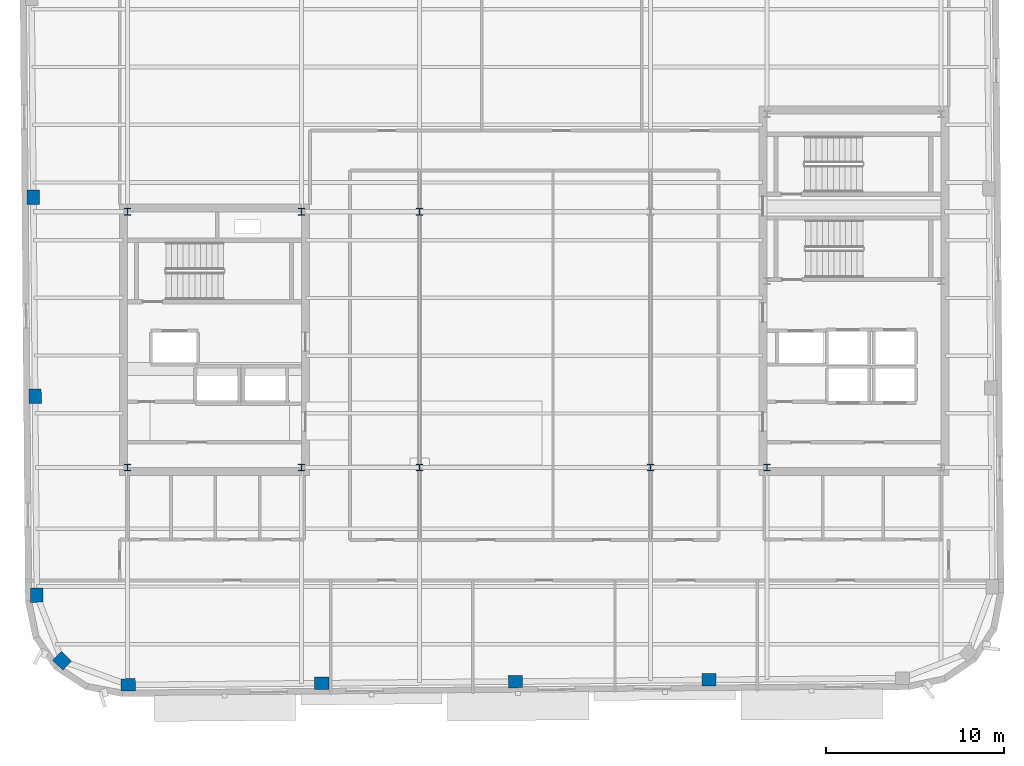
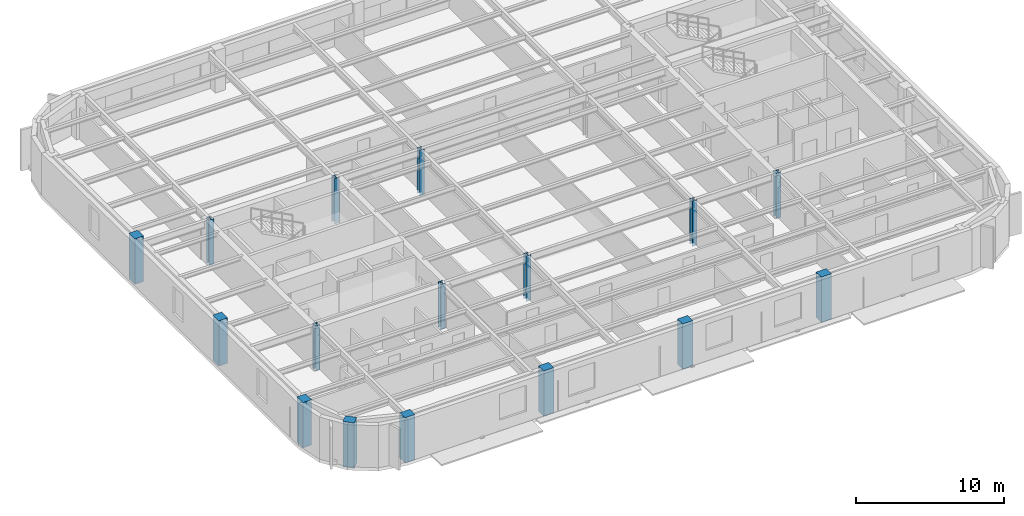
# One storey, part 1 of 15: 16 columns.
"""IFC4 building model written with IfcOpenShell, lengths in metres."""

from ifc_helpers import new_model, si_unit, direction, frame, origin, origin_2d, place, context, subcontext, project, spatial, rectangle, i_section, extrude, material, material_profile, profile_set, type_object, element, save


model = new_model("IFC4")

# Units and contexts
model_context = context("Model", 3, precision=1e-05, world=origin(), true_north=direction((0.0, 1.0)))
body_context = subcontext(model_context, "Body", "Model", "MODEL_VIEW")
ifc_project = project(units=[si_unit("LENGTHUNIT", "METRE"), si_unit("AREAUNIT", "SQUARE_METRE"), si_unit("VOLUMEUNIT", "CUBIC_METRE"), si_unit("PLANEANGLEUNIT", "RADIAN"), si_unit("MASSUNIT", "GRAM", prefix="KILO")], contexts=[model_context])

# Site, building, storey
site_placement = place(None, origin())
site = spatial("IfcSite", under=ifc_project, at=site_placement, CompositionType="ELEMENT")
building_placement = place(site_placement, origin())
building = spatial("IfcBuilding", under=site, at=building_placement, Name="Kolvaren Arena Tower", CompositionType="ELEMENT")
storey_placement = place(building_placement, frame((0.0, 0.0, 293.64990234375)))
storey = spatial("IfcBuildingStorey", under=building, at=storey_placement, Name="L72", CompositionType="ELEMENT", Elevation=293.64990234375)

# Columns
ifc_material_1 = material(Name="Precast concrete C50/60", Category="concrete")
ifc_material_profile_1 = material_profile(ifc_material_1, rectangle(XDim=0.800048828125, YDim=0.699951171875, at=origin_2d()), Name="RC-800x700")
ifc_profile_set_1 = profile_set([ifc_material_profile_1], Name="Precast concrete C50/60")
column_type_1 = type_object("IfcColumnType", Name="EXCOL-Z5", PredefinedType="COLUMN", material=ifc_profile_set_1)
for number, where, z_axis, x_axis, name in (
    (1, (14.591796875, 7.210693359375, -0.27001953125), (0.0, 0.0, 1.0), (0.999961923064, 0.008726535498, 0.0), "Exoskeleton Perimeter Column 01 (L72)"),
    (2, (25.491455078125, 7.3056640625, -0.27001953125), (0.0, 0.0, 1.0), (0.999961923064, 0.008726535498, 0.0), "Exoskeleton Perimeter Column 02 (L72)"),
    (3, (36.39111328125, 7.40087890625, -0.27001953125), (0.0, 0.0, 1.0), (0.999961923064, 0.008726535498, 0.0), "Exoskeleton Perimeter Column 03 (L72)"),
    (4, (47.290771484375, 7.49609375, -0.27001953125), (0.0, 0.0, 1.0), (0.999961923064, 0.008726535498, 0.0), "Exoskeleton Perimeter Column 04 (L72)"),
    (5, (9.252197265625, 34.6650390625, -0.27001953125), (0.0, 0.0, 1.0), (-0.008726535498, 0.999961923064, 0.0), "Exoskeleton Perimeter Column 19 (L72)"),
    (6, (9.349853515625, 23.465576171875, -0.27001953125), (0.0, 0.0, 1.0), (-0.008726535498, 0.999961923064, 0.0), "Exoskeleton Perimeter Column 20 (L72)"),
    (7, (9.447509765625, 12.265869140625, -0.27001953125), (0.0, 0.0, 1.0), (-0.008726535498, 0.999961923064, 0.0), "Exoskeleton Perimeter Column 21 (L72)"),
    (8, (10.87109375, 8.5693359375, -0.27001953125), (0.0, 0.0, 1.0), (-0.713250449154, 0.7009092643, 0.0), "Exoskeleton Perimeter Column 22 (L72)"),
):
    element("IfcColumn", number, at=place(storey_placement, frame(where, z_axis=z_axis, x_axis=x_axis)), inside=storey, type_object=column_type_1, Name=name, PredefinedType="COLUMN", context=body_context, shape_type="SweptSolid", body=[
        extrude(rectangle(XDim=0.800048828125, YDim=0.699951171875, at=origin_2d()), origin(), (0.0, 0.0, 1.0), 3.75),
    ])
ifc_material_2 = material(Name="Steel ASTM A913 Grade 65", Category="steel")
ifc_material_profile_2 = material_profile(ifc_material_2, i_section(OverallWidth=0.3740234375, OverallDepth=0.3720703125, WebThickness=0.016357421875, FlangeThickness=0.026123046875, FilletRadius=0.02001953125, at=origin_2d()), Name="W360x196")
ifc_profile_set_2 = profile_set([ifc_material_profile_2], Name="Steel ASTM A913 Grade 65")
column_type_2 = type_object("IfcColumnType", Name="SCOL-Z5", PredefinedType="COLUMN", material=ifc_profile_set_2)
for number, where, z_axis, x_axis, name in (
    (9, (14.550048828125, 19.449951171875, -0.27001953125), (0.0, 0.0, 1.0), (1.0, 0.0, 0.0), "Core Boundary Column WC-SW (L72)"),
    (10, (24.35009765625, 19.449951171875, -0.27001953125), (0.0, 0.0, 1.0), (1.0, 0.0, 0.0), "Core Boundary Column WC-SE (L72)"),
    (11, (14.550048828125, 33.85009765625, -0.27001953125), (0.0, 0.0, 1.0), (1.0, 0.0, 0.0), "Core Boundary Column WC-NW (L72)"),
    (12, (24.35009765625, 33.85009765625, -0.27001953125), (0.0, 0.0, 1.0), (1.0, 0.0, 0.0), "Core Boundary Column WC-NE (L72)"),
    (13, (50.550048828125, 19.449951171875, -0.27001953125), (0.0, 0.0, 1.0), (1.0, 0.0, 0.0), "Core Boundary Column EC-SW (L72)"),
    (14, (31.0, 19.449951171875, -0.27001953125), (0.0, 0.0, 1.0), (1.0, 0.0, 0.0), "Interior Gravity Column TC-SW (L72)"),
    (15, (44.0, 19.449951171875, -0.27001953125), (0.0, 0.0, 1.0), (1.0, 0.0, 0.0), "Interior Gravity Column TC-SE (L72)"),
    (16, (31.0, 33.85009765625, -0.27001953125), (0.0, 0.0, 1.0), (1.0, 0.0, 0.0), "Interior Gravity Column TC-NW (L72)"),
):
    element("IfcColumn", number, at=place(storey_placement, frame(where, z_axis=z_axis, x_axis=x_axis)), inside=storey, type_object=column_type_2, Name=name, PredefinedType="COLUMN", context=body_context, shape_type="SweptSolid", body=[
        extrude(i_section(OverallWidth=0.3740234375, OverallDepth=0.3720703125, WebThickness=0.016357421875, FlangeThickness=0.026123046875, FilletRadius=0.02001953125, at=origin_2d()), origin(), (0.0, 0.0, 1.0), 3.75),
    ])

save(model, "model.ifc")
